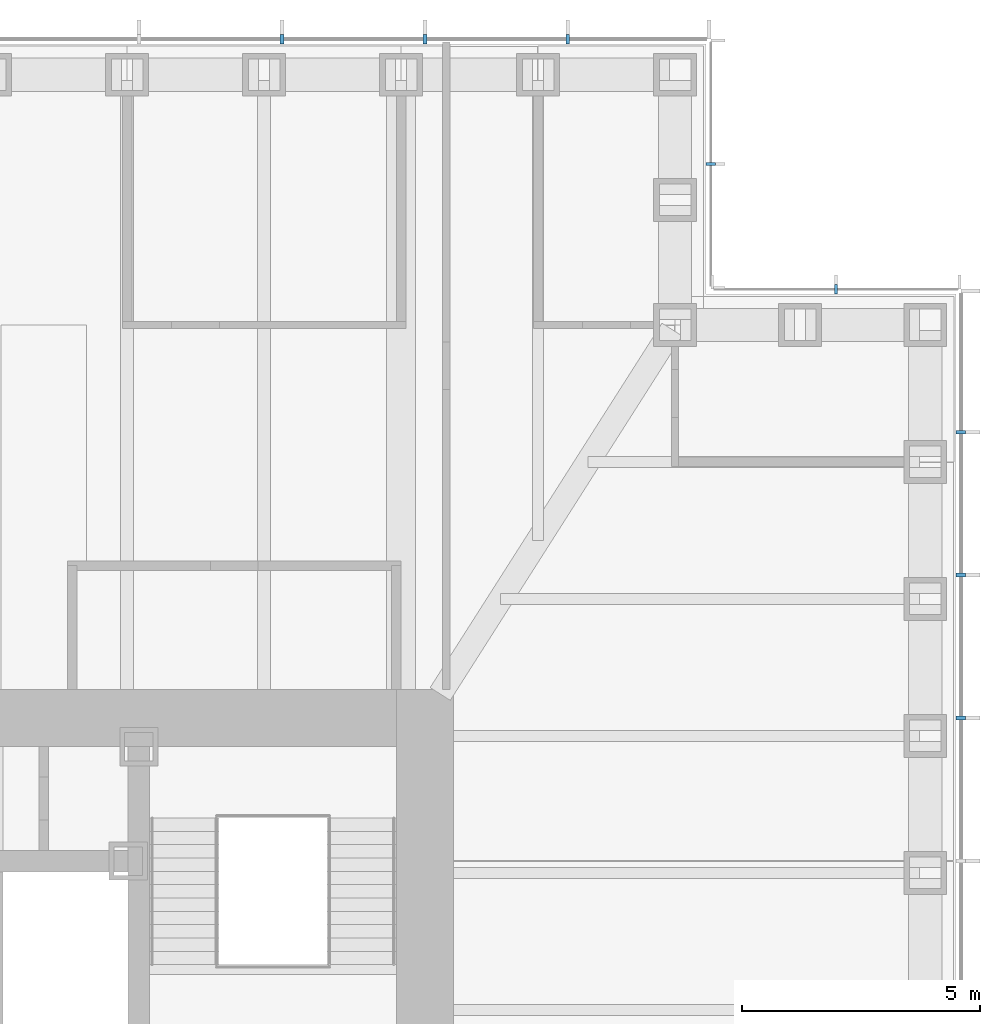
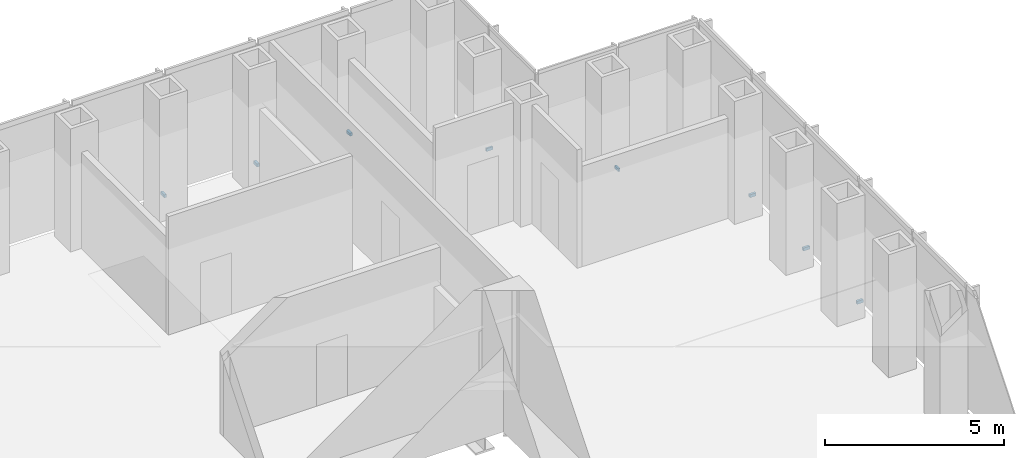
# One storey, part 16 of 17: 8 discrete accessories.
"""IFC4 building model written with IfcOpenShell, lengths in metres."""

from ifc_helpers import new_model, si_unit, direction, frame, origin, origin_2d, place, context, subcontext, project, spatial, rectangle, extrude, element, save


model = new_model("IFC4")

# Units and contexts
model_context = context("Model", 3, precision=1e-05, world=origin(), true_north=direction((0.0, 1.0)))
body_context = subcontext(model_context, "Body", "Model", "MODEL_VIEW")
ifc_project = project(units=[si_unit("LENGTHUNIT", "METRE"), si_unit("AREAUNIT", "SQUARE_METRE"), si_unit("VOLUMEUNIT", "CUBIC_METRE"), si_unit("PLANEANGLEUNIT", "RADIAN"), si_unit("MASSUNIT", "GRAM", prefix="KILO")], contexts=[model_context])

# Site, building, storey
site_placement = place(None, origin())
site = spatial("IfcSite", under=ifc_project, at=site_placement, CompositionType="ELEMENT")
building_placement = place(site_placement, origin())
building = spatial("IfcBuilding", under=site, at=building_placement, Name="Daluyong Arena Tower", CompositionType="ELEMENT")
storey_placement = place(building_placement, frame((0.0, 0.0, 145.89990234375)))
storey = spatial("IfcBuildingStorey", under=building, at=storey_placement, Name="L32", CompositionType="ELEMENT", Elevation=145.89990234375)

# Discrete accessories
for number, where, z_axis, x_axis, name in (
    (1, (79.25, 89.0, -0.099853515625), (0.0, 0.0, 1.0), (0.0, 1.0, 0.0), "curtain wall L32 E anchor bracket 10"),
    (2, (79.25, 92.0, -0.099853515625), (0.0, 0.0, 1.0), (0.0, 1.0, 0.0), "curtain wall L32 E anchor bracket 11"),
    (3, (79.25, 95.0, -0.099853515625), (0.0, 0.0, 1.0), (0.0, 1.0, 0.0), "curtain wall L32 E anchor bracket 12"),
):
    element("IfcDiscreteAccessory", number, at=place(storey_placement, frame(where, z_axis=z_axis, x_axis=x_axis)), inside=storey, Name=name, PredefinedType="BRACKET", context=body_context, shape_type="SweptSolid", body=[
        extrude(rectangle(XDim=0.080078125, YDim=0.199951171875, at=origin_2d()), origin(), (0.0, 0.0, 1.0), 0.10009765625),
    ])
for number, where, z_axis, x_axis, name in (
    (4, (76.625, 98.0, -0.099853515625), (0.0, 0.0, 1.0), (-1.0, 0.0, 0.0), "curtain wall L32 NE-N anchor bracket 2"),
    (5, (74.0, 100.625, -0.099853515625), (0.0, 0.0, 1.0), (0.0, 1.0, 0.0), "curtain wall L32 NE-E anchor bracket 2"),
):
    element("IfcDiscreteAccessory", number, at=place(storey_placement, frame(where, z_axis=z_axis, x_axis=x_axis)), inside=storey, Name=name, PredefinedType="BRACKET", context=body_context, shape_type="SweptSolid", body=[
        extrude(rectangle(XDim=0.06005859375, YDim=0.199951171875, at=origin_2d()), origin(), (0.0, 0.0, 1.0), 0.10009765625),
    ])
for number, where, z_axis, x_axis, name in (
    (6, (71.0, 103.25, -0.099853515625), (0.0, 0.0, 1.0), (-1.0, 0.0, 0.0), "curtain wall L32 N anchor bracket 2"),
    (7, (68.0, 103.25, -0.099853515625), (0.0, 0.0, 1.0), (-1.0, 0.0, 0.0), "curtain wall L32 N anchor bracket 3"),
    (8, (65.0, 103.25, -0.099853515625), (0.0, 0.0, 1.0), (-1.0, 0.0, 0.0), "curtain wall L32 N anchor bracket 4"),
):
    element("IfcDiscreteAccessory", number, at=place(storey_placement, frame(where, z_axis=z_axis, x_axis=x_axis)), inside=storey, Name=name, PredefinedType="BRACKET", context=body_context, shape_type="SweptSolid", body=[
        extrude(rectangle(XDim=0.080078125, YDim=0.199951171875, at=origin_2d()), origin(), (0.0, 0.0, 1.0), 0.10009765625),
    ])

save(model, "model.ifc")
